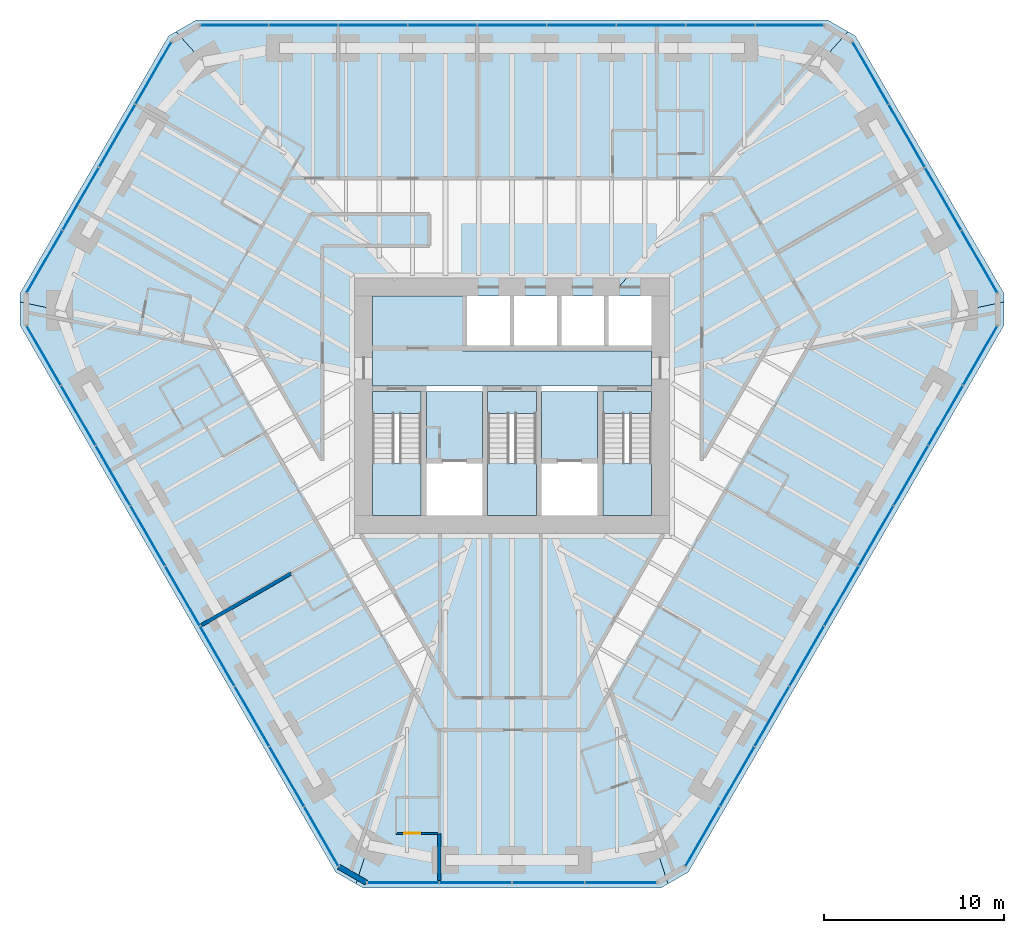
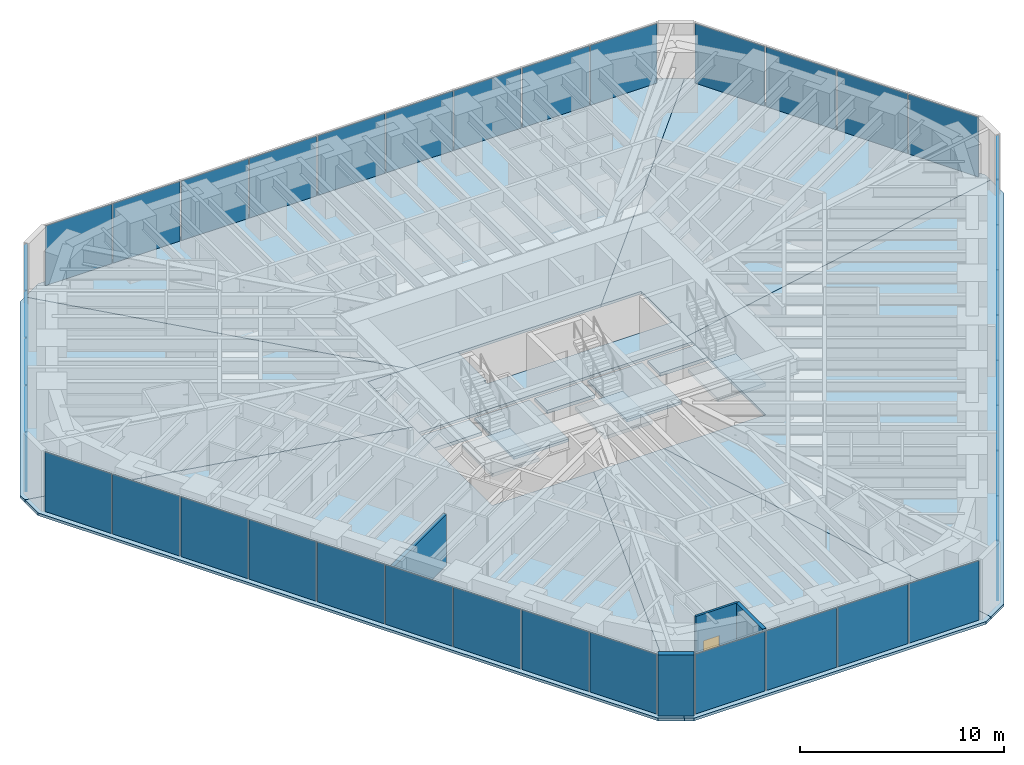
# One storey, part 10 of 16: 39 plates, 15 slabs, 4 walls, 1 door, 1 opening, 9 elements without a shape of their own.
"""IFC4 building model written with IfcOpenShell, lengths in metres."""

from ifc_helpers import new_model, si_unit, direction, frame, frame_2d, origin, origin_2d, place, context, subcontext, project, spatial, polyline, rectangle, outline, extrude, material, layer, layer_set, type_object, element, fill, aggregate, save


model = new_model("IFC4")

# Units and contexts
model_context = context("Model", 3, precision=1e-05, world=origin(), true_north=direction((0.0, 1.0)))
body_context = subcontext(model_context, "Body", "Model", "MODEL_VIEW")
ifc_project = project(units=[si_unit("LENGTHUNIT", "METRE"), si_unit("AREAUNIT", "SQUARE_METRE"), si_unit("VOLUMEUNIT", "CUBIC_METRE"), si_unit("PLANEANGLEUNIT", "RADIAN"), si_unit("MASSUNIT", "GRAM", prefix="KILO")], contexts=[model_context])

# Site, building, storey
site_placement = place(None, origin())
site = spatial("IfcSite", under=ifc_project, at=site_placement, CompositionType="ELEMENT")
building_placement = place(site_placement, origin())
building = spatial("IfcBuilding", under=site, at=building_placement, Name="Sandreach Pilgrim Tower", CompositionType="ELEMENT")
storey_placement = place(building_placement, frame((0.0, 0.0, 228.800048828125)))
storey = spatial("IfcBuildingStorey", under=building, at=storey_placement, Name="L57", CompositionType="ELEMENT", Elevation=228.800048828125)

# Curtain wall, plates
ifc_material_1 = material(Name="Aluminium framed curtain wall", Category="aluminium")
curtain_wall_type = type_object("IfcCurtainWallType", Name="Upper hotel tower curtain wall", PredefinedType="NOTDEFINED", material=ifc_material_1)
curtain_wall_1_placement = place(storey_placement, origin())
curtain_wall_1 = element("IfcCurtainWall", 1, at=curtain_wall_1_placement, inside=storey, type_object=curtain_wall_type, Name="CW-3 L57 N", PredefinedType="NOTDEFINED")
ifc_material_2 = material(Name="Insulating glass unit 12.76 laminated + 20 argon + 12.76 laminated", Category="glass")
ifc_layer_1 = layer(ifc_material_2, 0.0458984375)
ifc_layer_set_1 = layer_set([ifc_layer_1], Name="CW-3 panel")
plate_type = type_object("IfcPlateType", Name="CW-3 panel", PredefinedType="CURTAIN_PANEL", material=ifc_layer_set_1)
plate_1_placement = place(storey_placement, frame((-15.44140625, 21.16015625, 0.0), z_axis=(0.0, 0.0, 1.0), x_axis=(1.0, 0.0, 0.0)))
plate_1 = element("IfcPlate", 2, at=plate_1_placement, type_object=plate_type, Name="CW-3 panel 1", PredefinedType="CURTAIN_PANEL", context=body_context, shape_type="SweptSolid", body=[
    extrude(rectangle(XDim=3.766845703125, YDim=0.0458984375, at=origin_2d()), origin(), (0.0, 0.0, 1.0), 3.570068359375),
])
plate_2_placement = place(storey_placement, frame((-11.59326171875, 21.16015625, 0.0), z_axis=(0.0, 0.0, 1.0), x_axis=(1.0, 0.0, 0.0)))
plate_2 = element("IfcPlate", 3, at=plate_2_placement, type_object=plate_type, Name="CW-3 panel 2", PredefinedType="CURTAIN_PANEL", context=body_context, shape_type="SweptSolid", body=[
    extrude(rectangle(XDim=3.79931640625, YDim=0.0458984375, at=origin_2d()), origin(), (0.0, 0.0, 1.0), 3.570068359375),
])
plate_3_placement = place(storey_placement, frame((-7.728759765625, 21.16015625, 0.0), z_axis=(0.0, 0.0, 1.0), x_axis=(1.0, 0.0, 0.0)))
plate_3 = element("IfcPlate", 4, at=plate_3_placement, type_object=plate_type, Name="CW-3 panel 3", PredefinedType="CURTAIN_PANEL", context=body_context, shape_type="SweptSolid", body=[
    extrude(rectangle(XDim=3.79931640625, YDim=0.0458984375, at=origin_2d()), origin(), (0.0, 0.0, 1.0), 3.570068359375),
])
plate_4_placement = place(storey_placement, frame((-3.864501953125, 21.16015625, 0.0), z_axis=(0.0, 0.0, 1.0), x_axis=(1.0, 0.0, 0.0)))
plate_4 = element("IfcPlate", 5, at=plate_4_placement, type_object=plate_type, Name="CW-3 panel 4", PredefinedType="CURTAIN_PANEL", context=body_context, shape_type="SweptSolid", body=[
    extrude(rectangle(XDim=3.79931640625, YDim=0.0458984375, at=origin_2d()), origin(), (0.0, 0.0, 1.0), 3.570068359375),
])
plate_5_placement = place(storey_placement, frame((0.0, 21.16015625, 0.0), z_axis=(0.0, 0.0, 1.0), x_axis=(1.0, 0.0, 0.0)))
plate_5 = element("IfcPlate", 6, at=plate_5_placement, type_object=plate_type, Name="CW-3 panel 5", PredefinedType="CURTAIN_PANEL", context=body_context, shape_type="SweptSolid", body=[
    extrude(rectangle(XDim=3.79931640625, YDim=0.0458984375, at=origin_2d()), origin(), (0.0, 0.0, 1.0), 3.570068359375),
])
plate_6_placement = place(storey_placement, frame((3.864501953125, 21.16015625, 0.0), z_axis=(0.0, 0.0, 1.0), x_axis=(1.0, 0.0, 0.0)))
plate_6 = element("IfcPlate", 7, at=plate_6_placement, type_object=plate_type, Name="CW-3 panel 6", PredefinedType="CURTAIN_PANEL", context=body_context, shape_type="SweptSolid", body=[
    extrude(rectangle(XDim=3.79931640625, YDim=0.0458984375, at=origin_2d()), origin(), (0.0, 0.0, 1.0), 3.570068359375),
])
plate_7_placement = place(storey_placement, frame((7.728759765625, 21.16015625, 0.0), z_axis=(0.0, 0.0, 1.0), x_axis=(1.0, 0.0, 0.0)))
plate_7 = element("IfcPlate", 8, at=plate_7_placement, type_object=plate_type, Name="CW-3 panel 7", PredefinedType="CURTAIN_PANEL", context=body_context, shape_type="SweptSolid", body=[
    extrude(rectangle(XDim=3.79931640625, YDim=0.0458984375, at=origin_2d()), origin(), (0.0, 0.0, 1.0), 3.570068359375),
])
plate_8_placement = place(storey_placement, frame((11.59326171875, 21.16015625, 0.0), z_axis=(0.0, 0.0, 1.0), x_axis=(1.0, 0.0, 0.0)))
plate_8 = element("IfcPlate", 9, at=plate_8_placement, type_object=plate_type, Name="CW-3 panel 8", PredefinedType="CURTAIN_PANEL", context=body_context, shape_type="SweptSolid", body=[
    extrude(rectangle(XDim=3.79931640625, YDim=0.0458984375, at=origin_2d()), origin(), (0.0, 0.0, 1.0), 3.570068359375),
])
plate_9_placement = place(storey_placement, frame((15.44140625, 21.16015625, 0.0), z_axis=(0.0, 0.0, 1.0), x_axis=(1.0, 0.0, 0.0)))
plate_9 = element("IfcPlate", 10, at=plate_9_placement, type_object=plate_type, Name="CW-3 panel 9", PredefinedType="CURTAIN_PANEL", context=body_context, shape_type="SweptSolid", body=[
    extrude(rectangle(XDim=3.766845703125, YDim=0.0458984375, at=origin_2d()), origin(), (0.0, 0.0, 1.0), 3.570068359375),
])
aggregate(curtain_wall_1, [plate_1, plate_2, plate_3, plate_4, plate_5, plate_6, plate_7, plate_8, plate_9])

curtain_wall_2_placement = place(storey_placement, origin())
curtain_wall_2 = element("IfcCurtainWall", 11, at=curtain_wall_2_placement, inside=storey, type_object=curtain_wall_type, Name="CW-3 L57 NE", PredefinedType="NOTDEFINED")
plate_10_placement = place(storey_placement, frame((19.943115234375, 18.5078125, 0.0), z_axis=(0.0, 0.0, 1.0), x_axis=(0.5, -0.866025403784, 0.0)))
plate_10 = element("IfcPlate", 12, at=plate_10_placement, type_object=plate_type, Name="CW-3 panel 1", PredefinedType="CURTAIN_PANEL", context=body_context, shape_type="SweptSolid", body=[
    extrude(rectangle(XDim=3.951171875, YDim=0.0458984375, at=origin_2d()), origin(), (0.0, 0.0, 1.0), 3.570068359375),
])
plate_11_placement = place(storey_placement, frame((21.959228515625, 15.015625, 0.0), z_axis=(0.0, 0.0, 1.0), x_axis=(0.5, -0.866025403784, 0.0)))
plate_11 = element("IfcPlate", 13, at=plate_11_placement, type_object=plate_type, Name="CW-3 panel 2", PredefinedType="CURTAIN_PANEL", context=body_context, shape_type="SweptSolid", body=[
    extrude(rectangle(XDim=3.983642578125, YDim=0.0458984375, at=origin_2d()), origin(), (0.0, 0.0, 1.0), 3.570068359375),
])
plate_12_placement = place(storey_placement, frame((23.983642578125, 11.509521484375, 0.0), z_axis=(0.0, 0.0, 1.0), x_axis=(0.5, -0.866025403784, 0.0)))
plate_12 = element("IfcPlate", 14, at=plate_12_placement, type_object=plate_type, Name="CW-3 panel 3", PredefinedType="CURTAIN_PANEL", context=body_context, shape_type="SweptSolid", body=[
    extrude(rectangle(XDim=3.983642578125, YDim=0.0458984375, at=origin_2d()), origin(), (0.0, 0.0, 1.0), 3.570068359375),
])
plate_13_placement = place(storey_placement, frame((25.999755859375, 8.017333984375, 0.0), z_axis=(0.0, 0.0, 1.0), x_axis=(0.5, -0.866025403784, 0.0)))
plate_13 = element("IfcPlate", 15, at=plate_13_placement, type_object=plate_type, Name="CW-3 panel 4", PredefinedType="CURTAIN_PANEL", context=body_context, shape_type="SweptSolid", body=[
    extrude(rectangle(XDim=3.951171875, YDim=0.0458984375, at=origin_2d()), origin(), (0.0, 0.0, 1.0), 3.570068359375),
])
aggregate(curtain_wall_2, [plate_10, plate_11, plate_12, plate_13])

curtain_wall_3_placement = place(storey_placement, origin())
curtain_wall_3 = element("IfcCurtainWall", 16, at=curtain_wall_3_placement, inside=storey, type_object=curtain_wall_type, Name="CW-3 L57 SE", PredefinedType="NOTDEFINED")
plate_14_placement = place(storey_placement, frame((26.0458984375, 2.792724609375, 0.0), z_axis=(0.0, 0.0, 1.0), x_axis=(-0.5, -0.866025403784, 0.0)))
plate_14 = element("IfcPlate", 17, at=plate_14_placement, type_object=plate_type, Name="CW-3 panel 1", PredefinedType="CURTAIN_PANEL", context=body_context, shape_type="SweptSolid", body=[
    extrude(rectangle(XDim=3.766845703125, YDim=0.0458984375, at=origin_2d()), origin(), (0.0, 0.0, 1.0), 3.570068359375),
])
plate_15_placement = place(storey_placement, frame((24.121826171875, -0.5400390625, 0.0), z_axis=(0.0, 0.0, 1.0), x_axis=(-0.5, -0.866025403784, 0.0)))
plate_15 = element("IfcPlate", 18, at=plate_15_placement, type_object=plate_type, Name="CW-3 panel 2", PredefinedType="CURTAIN_PANEL", context=body_context, shape_type="SweptSolid", body=[
    extrude(rectangle(XDim=3.79931640625, YDim=0.0458984375, at=origin_2d()), origin(), (0.0, 0.0, 1.0), 3.570068359375),
])
plate_16_placement = place(storey_placement, frame((22.189697265625, -3.88671875, 0.0), z_axis=(0.0, 0.0, 1.0), x_axis=(-0.5, -0.866025403784, 0.0)))
plate_16 = element("IfcPlate", 19, at=plate_16_placement, type_object=plate_type, Name="CW-3 panel 3", PredefinedType="CURTAIN_PANEL", context=body_context, shape_type="SweptSolid", body=[
    extrude(rectangle(XDim=3.79931640625, YDim=0.0458984375, at=origin_2d()), origin(), (0.0, 0.0, 1.0), 3.570068359375),
])
plate_17_placement = place(storey_placement, frame((20.25732421875, -7.2333984375, 0.0), z_axis=(0.0, 0.0, 1.0), x_axis=(-0.5, -0.866025403784, 0.0)))
plate_17 = element("IfcPlate", 20, at=plate_17_placement, type_object=plate_type, Name="CW-3 panel 4", PredefinedType="CURTAIN_PANEL", context=body_context, shape_type="SweptSolid", body=[
    extrude(rectangle(XDim=3.79931640625, YDim=0.0458984375, at=origin_2d()), origin(), (0.0, 0.0, 1.0), 3.570068359375),
])
plate_18_placement = place(storey_placement, frame((18.3251953125, -10.580078125, 0.0), z_axis=(0.0, 0.0, 1.0), x_axis=(-0.5, -0.866025403784, 0.0)))
plate_18 = element("IfcPlate", 21, at=plate_18_placement, type_object=plate_type, Name="CW-3 panel 5", PredefinedType="CURTAIN_PANEL", context=body_context, shape_type="SweptSolid", body=[
    extrude(rectangle(XDim=3.79931640625, YDim=0.0458984375, at=origin_2d()), origin(), (0.0, 0.0, 1.0), 3.570068359375),
])
plate_19_placement = place(storey_placement, frame((16.39306640625, -13.9267578125, 0.0), z_axis=(0.0, 0.0, 1.0), x_axis=(-0.5, -0.866025403784, 0.0)))
plate_19 = element("IfcPlate", 22, at=plate_19_placement, type_object=plate_type, Name="CW-3 panel 6", PredefinedType="CURTAIN_PANEL", context=body_context, shape_type="SweptSolid", body=[
    extrude(rectangle(XDim=3.79931640625, YDim=0.0458984375, at=origin_2d()), origin(), (0.0, 0.0, 1.0), 3.570068359375),
])
plate_20_placement = place(storey_placement, frame((14.460693359375, -17.2734375, 0.0), z_axis=(0.0, 0.0, 1.0), x_axis=(-0.5, -0.866025403784, 0.0)))
plate_20 = element("IfcPlate", 23, at=plate_20_placement, type_object=plate_type, Name="CW-3 panel 7", PredefinedType="CURTAIN_PANEL", context=body_context, shape_type="SweptSolid", body=[
    extrude(rectangle(XDim=3.79931640625, YDim=0.0458984375, at=origin_2d()), origin(), (0.0, 0.0, 1.0), 3.570068359375),
])
plate_21_placement = place(storey_placement, frame((12.528564453125, -20.6201171875, 0.0), z_axis=(0.0, 0.0, 1.0), x_axis=(-0.5, -0.866025403784, 0.0)))
plate_21 = element("IfcPlate", 24, at=plate_21_placement, type_object=plate_type, Name="CW-3 panel 8", PredefinedType="CURTAIN_PANEL", context=body_context, shape_type="SweptSolid", body=[
    extrude(rectangle(XDim=3.79931640625, YDim=0.0458984375, at=origin_2d()), origin(), (0.0, 0.0, 1.0), 3.570068359375),
])
plate_22_placement = place(storey_placement, frame((10.6044921875, -23.95263671875, 0.0), z_axis=(0.0, 0.0, 1.0), x_axis=(-0.5, -0.866025403784, 0.0)))
plate_22 = element("IfcPlate", 25, at=plate_22_placement, type_object=plate_type, Name="CW-3 panel 9", PredefinedType="CURTAIN_PANEL", context=body_context, shape_type="SweptSolid", body=[
    extrude(rectangle(XDim=3.766845703125, YDim=0.0458984375, at=origin_2d()), origin(), (0.0, 0.0, 1.0), 3.570068359375),
])
aggregate(curtain_wall_3, [plate_14, plate_15, plate_16, plate_17, plate_18, plate_19, plate_20, plate_21, plate_22])

curtain_wall_4_placement = place(storey_placement, origin())
curtain_wall_4 = element("IfcCurtainWall", 26, at=curtain_wall_4_placement, inside=storey, type_object=curtain_wall_type, Name="CW-3 L57 S", PredefinedType="NOTDEFINED")
plate_23_placement = place(storey_placement, frame((6.056884765625, -26.525146484375, 0.0), z_axis=(0.0, 0.0, 1.0), x_axis=(-1.0, 0.0, 0.0)))
plate_23 = element("IfcPlate", 27, at=plate_23_placement, type_object=plate_type, Name="CW-3 panel 1", PredefinedType="CURTAIN_PANEL", context=body_context, shape_type="SweptSolid", body=[
    extrude(rectangle(XDim=3.951171875, YDim=0.0458984375, at=origin_2d()), origin(), (0.0, 0.0, 1.0), 3.570068359375),
])
plate_24_placement = place(storey_placement, frame((2.0244140625, -26.525146484375, 0.0), z_axis=(0.0, 0.0, 1.0), x_axis=(-1.0, 0.0, 0.0)))
plate_24 = element("IfcPlate", 28, at=plate_24_placement, type_object=plate_type, Name="CW-3 panel 2", PredefinedType="CURTAIN_PANEL", context=body_context, shape_type="SweptSolid", body=[
    extrude(rectangle(XDim=3.983642578125, YDim=0.0458984375, at=origin_2d()), origin(), (0.0, 0.0, 1.0), 3.570068359375),
])
plate_25_placement = place(storey_placement, frame((-2.0244140625, -26.525146484375, 0.0), z_axis=(0.0, 0.0, 1.0), x_axis=(-1.0, 0.0, 0.0)))
plate_25 = element("IfcPlate", 29, at=plate_25_placement, type_object=plate_type, Name="CW-3 panel 3", PredefinedType="CURTAIN_PANEL", context=body_context, shape_type="SweptSolid", body=[
    extrude(rectangle(XDim=3.983642578125, YDim=0.0458984375, at=origin_2d()), origin(), (0.0, 0.0, 1.0), 3.570068359375),
])
plate_26_placement = place(storey_placement, frame((-6.056884765625, -26.525146484375, 0.0), z_axis=(0.0, 0.0, 1.0), x_axis=(-1.0, 0.0, 0.0)))
plate_26 = element("IfcPlate", 30, at=plate_26_placement, type_object=plate_type, Name="CW-3 panel 4", PredefinedType="CURTAIN_PANEL", context=body_context, shape_type="SweptSolid", body=[
    extrude(rectangle(XDim=3.951171875, YDim=0.0458984375, at=origin_2d()), origin(), (0.0, 0.0, 1.0), 3.570068359375),
])
aggregate(curtain_wall_4, [plate_23, plate_24, plate_25, plate_26])

curtain_wall_5_placement = place(storey_placement, origin())
curtain_wall_5 = element("IfcCurtainWall", 31, at=curtain_wall_5_placement, inside=storey, type_object=curtain_wall_type, Name="CW-3 L57 SW", PredefinedType="NOTDEFINED")
plate_27_placement = place(storey_placement, frame((-10.6044921875, -23.95263671875, 0.0), z_axis=(0.0, 0.0, 1.0), x_axis=(-0.5, 0.866025403784, 0.0)))
plate_27 = element("IfcPlate", 32, at=plate_27_placement, type_object=plate_type, Name="CW-3 panel 1", PredefinedType="CURTAIN_PANEL", context=body_context, shape_type="SweptSolid", body=[
    extrude(rectangle(XDim=3.766845703125, YDim=0.0458984375, at=origin_2d()), origin(), (0.0, 0.0, 1.0), 3.570068359375),
])
plate_28_placement = place(storey_placement, frame((-12.528564453125, -20.6201171875, 0.0), z_axis=(0.0, 0.0, 1.0), x_axis=(-0.5, 0.866025403784, 0.0)))
plate_28 = element("IfcPlate", 33, at=plate_28_placement, type_object=plate_type, Name="CW-3 panel 2", PredefinedType="CURTAIN_PANEL", context=body_context, shape_type="SweptSolid", body=[
    extrude(rectangle(XDim=3.79931640625, YDim=0.0458984375, at=origin_2d()), origin(), (0.0, 0.0, 1.0), 3.570068359375),
])
plate_29_placement = place(storey_placement, frame((-14.460693359375, -17.2734375, 0.0), z_axis=(0.0, 0.0, 1.0), x_axis=(-0.5, 0.866025403784, 0.0)))
plate_29 = element("IfcPlate", 34, at=plate_29_placement, type_object=plate_type, Name="CW-3 panel 3", PredefinedType="CURTAIN_PANEL", context=body_context, shape_type="SweptSolid", body=[
    extrude(rectangle(XDim=3.79931640625, YDim=0.0458984375, at=origin_2d()), origin(), (0.0, 0.0, 1.0), 3.570068359375),
])
plate_30_placement = place(storey_placement, frame((-16.39306640625, -13.9267578125, 0.0), z_axis=(0.0, 0.0, 1.0), x_axis=(-0.5, 0.866025403784, 0.0)))
plate_30 = element("IfcPlate", 35, at=plate_30_placement, type_object=plate_type, Name="CW-3 panel 4", PredefinedType="CURTAIN_PANEL", context=body_context, shape_type="SweptSolid", body=[
    extrude(rectangle(XDim=3.79931640625, YDim=0.0458984375, at=origin_2d()), origin(), (0.0, 0.0, 1.0), 3.570068359375),
])
plate_31_placement = place(storey_placement, frame((-18.3251953125, -10.580078125, 0.0), z_axis=(0.0, 0.0, 1.0), x_axis=(-0.5, 0.866025403784, 0.0)))
plate_31 = element("IfcPlate", 36, at=plate_31_placement, type_object=plate_type, Name="CW-3 panel 5", PredefinedType="CURTAIN_PANEL", context=body_context, shape_type="SweptSolid", body=[
    extrude(rectangle(XDim=3.79931640625, YDim=0.0458984375, at=origin_2d()), origin(), (0.0, 0.0, 1.0), 3.570068359375),
])
plate_32_placement = place(storey_placement, frame((-20.25732421875, -7.2333984375, 0.0), z_axis=(0.0, 0.0, 1.0), x_axis=(-0.5, 0.866025403784, 0.0)))
plate_32 = element("IfcPlate", 37, at=plate_32_placement, type_object=plate_type, Name="CW-3 panel 6", PredefinedType="CURTAIN_PANEL", context=body_context, shape_type="SweptSolid", body=[
    extrude(rectangle(XDim=3.79931640625, YDim=0.0458984375, at=origin_2d()), origin(), (0.0, 0.0, 1.0), 3.570068359375),
])
plate_33_placement = place(storey_placement, frame((-22.189697265625, -3.88671875, 0.0), z_axis=(0.0, 0.0, 1.0), x_axis=(-0.5, 0.866025403784, 0.0)))
plate_33 = element("IfcPlate", 38, at=plate_33_placement, type_object=plate_type, Name="CW-3 panel 7", PredefinedType="CURTAIN_PANEL", context=body_context, shape_type="SweptSolid", body=[
    extrude(rectangle(XDim=3.79931640625, YDim=0.0458984375, at=origin_2d()), origin(), (0.0, 0.0, 1.0), 3.570068359375),
])
plate_34_placement = place(storey_placement, frame((-24.121826171875, -0.5400390625, 0.0), z_axis=(0.0, 0.0, 1.0), x_axis=(-0.5, 0.866025403784, 0.0)))
plate_34 = element("IfcPlate", 39, at=plate_34_placement, type_object=plate_type, Name="CW-3 panel 8", PredefinedType="CURTAIN_PANEL", context=body_context, shape_type="SweptSolid", body=[
    extrude(rectangle(XDim=3.79931640625, YDim=0.0458984375, at=origin_2d()), origin(), (0.0, 0.0, 1.0), 3.570068359375),
])
plate_35_placement = place(storey_placement, frame((-26.0458984375, 2.792724609375, 0.0), z_axis=(0.0, 0.0, 1.0), x_axis=(-0.5, 0.866025403784, 0.0)))
plate_35 = element("IfcPlate", 40, at=plate_35_placement, type_object=plate_type, Name="CW-3 panel 9", PredefinedType="CURTAIN_PANEL", context=body_context, shape_type="SweptSolid", body=[
    extrude(rectangle(XDim=3.766845703125, YDim=0.0458984375, at=origin_2d()), origin(), (0.0, 0.0, 1.0), 3.570068359375),
])
aggregate(curtain_wall_5, [plate_27, plate_28, plate_29, plate_30, plate_31, plate_32, plate_33, plate_34, plate_35])

curtain_wall_6_placement = place(storey_placement, origin())
curtain_wall_6 = element("IfcCurtainWall", 41, at=curtain_wall_6_placement, inside=storey, type_object=curtain_wall_type, Name="CW-3 L57 NW", PredefinedType="NOTDEFINED")
plate_36_placement = place(storey_placement, frame((-25.999755859375, 8.017333984375, 0.0), z_axis=(0.0, 0.0, 1.0), x_axis=(0.5, 0.866025403784, 0.0)))
plate_36 = element("IfcPlate", 42, at=plate_36_placement, type_object=plate_type, Name="CW-3 panel 1", PredefinedType="CURTAIN_PANEL", context=body_context, shape_type="SweptSolid", body=[
    extrude(rectangle(XDim=3.951171875, YDim=0.0458984375, at=origin_2d()), origin(), (0.0, 0.0, 1.0), 3.570068359375),
])
plate_37_placement = place(storey_placement, frame((-23.983642578125, 11.509521484375, 0.0), z_axis=(0.0, 0.0, 1.0), x_axis=(0.5, 0.866025403784, 0.0)))
plate_37 = element("IfcPlate", 43, at=plate_37_placement, type_object=plate_type, Name="CW-3 panel 2", PredefinedType="CURTAIN_PANEL", context=body_context, shape_type="SweptSolid", body=[
    extrude(rectangle(XDim=3.983642578125, YDim=0.0458984375, at=origin_2d()), origin(), (0.0, 0.0, 1.0), 3.570068359375),
])
plate_38_placement = place(storey_placement, frame((-21.959228515625, 15.015625, 0.0), z_axis=(0.0, 0.0, 1.0), x_axis=(0.5, 0.866025403784, 0.0)))
plate_38 = element("IfcPlate", 44, at=plate_38_placement, type_object=plate_type, Name="CW-3 panel 3", PredefinedType="CURTAIN_PANEL", context=body_context, shape_type="SweptSolid", body=[
    extrude(rectangle(XDim=3.983642578125, YDim=0.0458984375, at=origin_2d()), origin(), (0.0, 0.0, 1.0), 3.570068359375),
])
plate_39_placement = place(storey_placement, frame((-19.943115234375, 18.5078125, 0.0), z_axis=(0.0, 0.0, 1.0), x_axis=(0.5, 0.866025403784, 0.0)))
plate_39 = element("IfcPlate", 45, at=plate_39_placement, type_object=plate_type, Name="CW-3 panel 4", PredefinedType="CURTAIN_PANEL", context=body_context, shape_type="SweptSolid", body=[
    extrude(rectangle(XDim=3.951171875, YDim=0.0458984375, at=origin_2d()), origin(), (0.0, 0.0, 1.0), 3.570068359375),
])
aggregate(curtain_wall_6, [plate_36, plate_37, plate_38, plate_39])

# Slabs
ifc_material_3 = material(Name="Concrete 8000 psi", Category="concrete")
ifc_layer_2 = layer(ifc_material_3, 0.159912109375)
ifc_layer_set_2 = layer_set([ifc_layer_2], Name="Composite floor slab 160")
slab_type_1 = type_object("IfcSlabType", Name="Composite floor slab 160", PredefinedType="FLOOR", material=ifc_layer_set_2)
slab_1_placement = place(storey_placement, frame((0.0, 0.0, -0.16015625)))
element("IfcSlab", 46, at=slab_1_placement, inside=storey, type_object=slab_type_1, Name="Floor slab L57 N sector", PredefinedType="FLOOR", context=body_context, shape_type="SweptSolid", body=[
    extrude(outline(polyline([(-17.56298828125, 21.460205078125), (17.56298828125, 21.460205078125), (18.68701171875, 20.81103515625), (5.477294921875, 6.10009765625), (-5.477294921875, 6.10009765625), (-18.68701171875, 20.81103515625), (-17.56298828125, 21.460205078125)])), origin(), (0.0, 0.0, 1.0), 0.16015625),
])
slab_2_placement = place(storey_placement, frame((0.0, 0.0, -0.16015625)))
element("IfcSlab", 47, at=slab_2_placement, inside=storey, type_object=slab_type_1, Name="Floor slab L57 NE sector", PredefinedType="FLOOR", context=body_context, shape_type="SweptSolid", body=[
    extrude(outline(polyline([(19.095947265625, 20.5751953125), (27.366455078125, 6.25), (27.366455078125, 5.778076171875), (7.75, 1.63623046875), (7.75, 6.10009765625), (5.477294921875, 6.10009765625), (18.68701171875, 20.81103515625), (19.095947265625, 20.5751953125)])), origin(), (0.0, 0.0, 1.0), 0.16015625),
])
slab_3_placement = place(storey_placement, frame((0.0, 0.0, -0.16015625)))
element("IfcSlab", 48, at=slab_3_placement, inside=storey, type_object=slab_type_1, Name="Floor slab L57 SE sector", PredefinedType="FLOOR", context=body_context, shape_type="SweptSolid", body=[
    extrude(outline(polyline([(27.366455078125, 4.47998046875), (9.803466796875, -25.940185546875), (8.679443359375, -26.589111328125), (1.9912109375, -6.10009765625), (7.75, -6.10009765625), (7.75, 1.63623046875), (27.366455078125, 5.778076171875), (27.366455078125, 4.47998046875)])), origin(), (0.0, 0.0, 1.0), 0.16015625),
])
slab_4_placement = place(storey_placement, frame((0.0, 0.0, -0.16015625)))
element("IfcSlab", 49, at=slab_4_placement, inside=storey, type_object=slab_type_1, Name="Floor slab L57 S sector", PredefinedType="FLOOR", context=body_context, shape_type="SweptSolid", body=[
    extrude(outline(polyline([(8.2705078125, -26.8251953125), (-8.2705078125, -26.8251953125), (-8.679443359375, -26.589111328125), (-1.9912109375, -6.10009765625), (1.9912109375, -6.10009765625), (8.679443359375, -26.589111328125), (8.2705078125, -26.8251953125)])), origin(), (0.0, 0.0, 1.0), 0.16015625),
])
slab_5_placement = place(storey_placement, frame((0.0, 0.0, -0.16015625)))
element("IfcSlab", 50, at=slab_5_placement, inside=storey, type_object=slab_type_1, Name="Floor slab L57 SW sector", PredefinedType="FLOOR", context=body_context, shape_type="SweptSolid", body=[
    extrude(outline(polyline([(-9.803466796875, -25.940185546875), (-27.366455078125, 4.47998046875), (-27.366455078125, 5.778076171875), (-7.75, 1.63623046875), (-7.75, -6.10009765625), (-1.9912109375, -6.10009765625), (-8.679443359375, -26.589111328125), (-9.803466796875, -25.940185546875)])), origin(), (0.0, 0.0, 1.0), 0.16015625),
])
slab_6_placement = place(storey_placement, frame((0.0, 0.0, -0.16015625)))
element("IfcSlab", 51, at=slab_6_placement, inside=storey, type_object=slab_type_1, Name="Floor slab L57 NW sector", PredefinedType="FLOOR", context=body_context, shape_type="SweptSolid", body=[
    extrude(outline(polyline([(-27.366455078125, 6.25), (-19.095947265625, 20.5751953125), (-18.68701171875, 20.81103515625), (-5.477294921875, 6.10009765625), (-7.75, 6.10009765625), (-7.75, 1.63623046875), (-27.366455078125, 5.778076171875), (-27.366455078125, 6.25)])), origin(), (0.0, 0.0, 1.0), 0.16015625),
])
slab_7_placement = place(storey_placement, frame((0.0, 0.0, -0.16015625)))
element("IfcSlab", 52, at=slab_7_placement, inside=storey, type_object=slab_type_1, Name="Core floor slab and stores L57", PredefinedType="FLOOR", context=body_context, shape_type="SweptSolid", body=[
    extrude(outline(polyline([(-2.75, 3.35009765625), (-2.75, 3.050048828125), (-0.125, 3.050048828125), (0.125, 3.050048828125), (2.5, 3.050048828125), (2.75, 3.050048828125), (5.125, 3.050048828125), (5.375, 3.050048828125), (7.75, 3.050048828125), (7.75, 1.10009765625), (5.050048828125, 1.10009765625), (4.75, 1.10009765625), (1.64990234375, 1.10009765625), (1.35009765625, 1.10009765625), (-1.35009765625, 1.10009765625), (-1.64990234375, 1.10009765625), (-4.75, 1.10009765625), (-5.050048828125, 1.10009765625), (-7.75, 1.10009765625), (-7.75, 6.10009765625), (-2.64990234375, 6.10009765625), (-2.64990234375, 3.35009765625), (-2.75, 3.35009765625)])), origin(), (0.0, 0.0, 1.0), 0.16015625),
])
slab_8_placement = place(storey_placement, frame((0.0, 0.0, -0.16015625)))
element("IfcSlab", 53, at=slab_8_placement, inside=storey, type_object=slab_type_1, Name="Core floor slab and stores L57 2", PredefinedType="FLOOR", context=body_context, shape_type="SweptSolid", body=[
    extrude(outline(polyline([(-1.64990234375, -3.050048828125), (-4.75, -3.050048828125), (-4.75, 0.800048828125), (-1.64990234375, 0.800048828125), (-1.64990234375, -3.050048828125)])), origin(), (0.0, 0.0, 1.0), 0.16015625),
])
slab_9_placement = place(storey_placement, frame((0.0, 0.0, -0.16015625)))
element("IfcSlab", 54, at=slab_9_placement, inside=storey, type_object=slab_type_1, Name="Core floor slab and stores L57 3", PredefinedType="FLOOR", context=body_context, shape_type="SweptSolid", body=[
    extrude(outline(polyline([(4.75, -3.050048828125), (1.64990234375, -3.050048828125), (1.64990234375, 0.800048828125), (4.75, 0.800048828125), (4.75, -3.050048828125)])), origin(), (0.0, 0.0, 1.0), 0.16015625),
])

# Stair, slabs
ifc_material_4 = material(Name="Concrete 8000 psi", Category="concrete")
stair_type = type_object("IfcStairType", Name="Core exit stair", PredefinedType="HALF_TURN_STAIR", material=ifc_material_4)
stair_1_placement = place(storey_placement, origin())
stair_1 = element("IfcStair", 55, at=stair_1_placement, inside=storey, type_object=stair_type, Name="Exit stair ST1 L57", PredefinedType="HALF_TURN_STAIR")
ifc_material_5 = material(Name="Concrete 8000 psi", Category="concrete")
ifc_layer_3 = layer(ifc_material_5, 0.199951171875)
ifc_layer_set_3 = layer_set([ifc_layer_3], Name="Core stair landing 200")
slab_type_2 = type_object("IfcSlabType", Name="Core stair landing 200", PredefinedType="LANDING", material=ifc_layer_set_3)
slab_10_placement = place(storey_placement, frame((0.0, 0.0, -0.199951171875)))
slab_10 = element("IfcSlab", 56, at=slab_10_placement, type_object=slab_type_2, Name="ST1 landing 1", PredefinedType="LANDING", context=body_context, shape_type="SweptSolid", body=[
    extrude(outline(polyline([(-7.75, -0.425048828125), (-5.050048828125, -0.425048828125), (-5.050048828125, 0.800048828125), (-7.75, 0.800048828125), (-7.75, -0.425048828125)])), origin(), (0.0, 0.0, 1.0), 0.199951171875),
])
slab_11_placement = place(storey_placement, frame((0.0, 0.0, 1.699951171875)))
slab_11 = element("IfcSlab", 57, at=slab_11_placement, type_object=slab_type_2, Name="ST1 landing 2", PredefinedType="LANDING", context=body_context, shape_type="SweptSolid", body=[
    extrude(outline(polyline([(-7.75, -6.10009765625), (-5.050048828125, -6.10009765625), (-5.050048828125, -3.175048828125), (-7.75, -3.175048828125), (-7.75, -6.10009765625)])), origin(), (0.0, 0.0, 1.0), 0.199951171875),
])
aggregate(stair_1, [slab_10, slab_11])

stair_2_placement = place(storey_placement, origin())
stair_2 = element("IfcStair", 58, at=stair_2_placement, inside=storey, type_object=stair_type, Name="Exit stair ST3 L57", PredefinedType="HALF_TURN_STAIR")
slab_12_placement = place(storey_placement, frame((0.0, 0.0, -0.199951171875)))
slab_12 = element("IfcSlab", 59, at=slab_12_placement, type_object=slab_type_2, Name="ST3 landing 1", PredefinedType="LANDING", context=body_context, shape_type="SweptSolid", body=[
    extrude(outline(polyline([(-1.35009765625, -0.425048828125), (1.35009765625, -0.425048828125), (1.35009765625, 0.800048828125), (-1.35009765625, 0.800048828125), (-1.35009765625, -0.425048828125)])), origin(), (0.0, 0.0, 1.0), 0.199951171875),
])
slab_13_placement = place(storey_placement, frame((0.0, 0.0, 1.699951171875)))
slab_13 = element("IfcSlab", 60, at=slab_13_placement, type_object=slab_type_2, Name="ST3 landing 2", PredefinedType="LANDING", context=body_context, shape_type="SweptSolid", body=[
    extrude(outline(polyline([(-1.35009765625, -6.10009765625), (1.35009765625, -6.10009765625), (1.35009765625, -3.175048828125), (-1.35009765625, -3.175048828125), (-1.35009765625, -6.10009765625)])), origin(), (0.0, 0.0, 1.0), 0.199951171875),
])
aggregate(stair_2, [slab_12, slab_13])

stair_3_placement = place(storey_placement, origin())
stair_3 = element("IfcStair", 61, at=stair_3_placement, inside=storey, type_object=stair_type, Name="Exit stair ST2 L57", PredefinedType="HALF_TURN_STAIR")
slab_14_placement = place(storey_placement, frame((0.0, 0.0, -0.199951171875)))
slab_14 = element("IfcSlab", 62, at=slab_14_placement, type_object=slab_type_2, Name="ST2 landing 1", PredefinedType="LANDING", context=body_context, shape_type="SweptSolid", body=[
    extrude(outline(polyline([(5.050048828125, -0.425048828125), (7.75, -0.425048828125), (7.75, 0.800048828125), (5.050048828125, 0.800048828125), (5.050048828125, -0.425048828125)])), origin(), (0.0, 0.0, 1.0), 0.199951171875),
])
slab_15_placement = place(storey_placement, frame((0.0, 0.0, 1.699951171875)))
slab_15 = element("IfcSlab", 63, at=slab_15_placement, type_object=slab_type_2, Name="ST2 landing 2", PredefinedType="LANDING", context=body_context, shape_type="SweptSolid", body=[
    extrude(outline(polyline([(5.050048828125, -6.10009765625), (7.75, -6.10009765625), (7.75, -3.175048828125), (5.050048828125, -3.175048828125), (5.050048828125, -6.10009765625)])), origin(), (0.0, 0.0, 1.0), 0.199951171875),
])
aggregate(stair_3, [slab_14, slab_15])

# Wall, opening, door
ifc_material_6 = material(Name="Moisture-resistant gypsum board on steel studs", Category="steel")
ifc_layer_4 = layer(ifc_material_6, 0.1201171875)
ifc_layer_set_4 = layer_set([ifc_layer_4], Name="Bathroom partition 120")
wall_type_1 = type_object("IfcWallType", Name="Bathroom partition 120", PredefinedType="PARTITIONING", material=ifc_layer_set_4)
wall_1_placement = place(storey_placement, frame((-6.449951171875, -23.780029296875, 0.0), z_axis=(0.0, 0.0, 1.0), x_axis=(1.0, 0.0, 0.0)))
wall_1 = element("IfcWall", 64, at=wall_1_placement, inside=storey, type_object=wall_type_1, Name="Bathroom partition L57-046", PredefinedType="PARTITIONING", context=body_context, shape_type="SweptSolid", body=[
    extrude(rectangle(XDim=2.39990234375, YDim=0.1201171875, at=frame_2d((1.199951171875, 0.0))), origin(), (0.0, 0.0, 1.0), 3.639892578125),
])
opening_placement = place(wall_1_placement, frame((0.449951171875, 0.0, 0.0)))
opening = element("IfcOpeningElement", 65, at=opening_placement, cuts=wall_1, Name="Opening D09-10B", PredefinedType="OPENING", context=body_context, shape_type="SweptSolid", body=[
    extrude(rectangle(XDim=0.89990234375, YDim=2.030029296875, at=frame_2d((0.449951171875, 1.01513671875))), frame((0.0, 0.06005859375, 0.0), z_axis=(0.0, -1.0, 0.0), x_axis=(1.0, 0.0, 0.0)), (0.0, 0.0, 1.0), 0.1201171875),
])
ifc_material_7 = material(Name="Timber door, steel frame", Category="steel")
door_type = type_object("IfcDoorType", Name="Bathroom door", OperationType="SINGLE_SWING_LEFT", PredefinedType="DOOR", material=ifc_material_7)
door_placement = place(opening_placement, origin())
door = element("IfcDoor", 66, at=door_placement, inside=storey, type_object=door_type, Name="Door 5710B", OperationType="SINGLE_SWING_LEFT", OverallHeight=2.030029296875, OverallWidth=0.89990234375, PredefinedType="DOOR", context=body_context, shape_type="SweptSolid", body=[
    extrude(rectangle(XDim=0.89990234375, YDim=2.030029296875, at=frame_2d((0.449951171875, 1.01513671875))), frame((0.0, 0.02490234375, 0.0), z_axis=(0.0, -1.0, 0.0), x_axis=(1.0, 0.0, 0.0)), (0.0, 0.0, 1.0), 0.050048828125),
])
fill(opening, door)

# Walls
ifc_material_8 = material(Name="Double steel stud acoustic wall, gypsum board", Category="steel")
ifc_layer_5 = layer(ifc_material_8, 0.199951171875)
ifc_layer_set_5 = layer_set([ifc_layer_5], Name="Party wall 200")
wall_type_2 = type_object("IfcWallType", Name="Party wall 200", PredefinedType="PARTITIONING", material=ifc_layer_set_5)
wall_2_placement = place(storey_placement, frame((-17.256103515625, -12.18994140625, 0.0), z_axis=(0.0, 0.0, 1.0), x_axis=(0.865937714159, 0.500151852138, 0.0)))
element("IfcWall", 67, at=wall_2_placement, inside=storey, type_object=wall_type_2, Name="Party wall L57-015", PredefinedType="PARTITIONING", context=body_context, shape_type="SweptSolid", body=[
    extrude(rectangle(XDim=5.758056640625, YDim=0.199951171875, at=frame_2d((2.87890625, 0.0))), origin(), (0.0, 0.0, 1.0), 3.0380859375),
])
wall_3_placement = place(storey_placement, frame((-4.050048828125, -26.409912109375, 0.0), z_axis=(0.0, 0.0, 1.0), x_axis=(0.0, 1.0, 0.0)))
element("IfcWall", 68, at=wall_3_placement, inside=storey, type_object=wall_type_2, Name="Party wall L57-052", PredefinedType="PARTITIONING", context=body_context, shape_type="SweptSolid", body=[
    extrude(rectangle(XDim=2.6298828125, YDim=0.199951171875, at=frame_2d((1.31494140625, 0.0))), origin(), (0.0, 0.0, 1.0), 3.639892578125),
])
ifc_material_9 = material(Name="Terracotta rainscreen on concrete", Category="masonry")
ifc_layer_6 = layer(ifc_material_9, 0.300048828125)
ifc_layer_set_6 = layer_set([ifc_layer_6], Name="Terracotta chamfer pier")
wall_type_3 = type_object("IfcWallType", Name="Terracotta chamfer pier", PredefinedType="SOLIDWALL", material=ifc_layer_set_6)
wall_4_placement = place(storey_placement, frame((-8.097412109375, -26.525146484375, 0.0), z_axis=(0.0, 0.0, 1.0), x_axis=(-0.866036293601, 0.499981137809, 0.0)))
element("IfcWall", 69, at=wall_4_placement, inside=storey, type_object=wall_type_3, Name="Chamfer pier L57 S", PredefinedType="SOLIDWALL", context=body_context, shape_type="SweptSolid", body=[
    extrude(rectangle(XDim=1.77001953125, YDim=0.300048828125, at=frame_2d((0.885009765625, 0.0))), origin(), (0.0, 0.0, 1.0), 3.639892578125),
])

save(model, "model.ifc")
